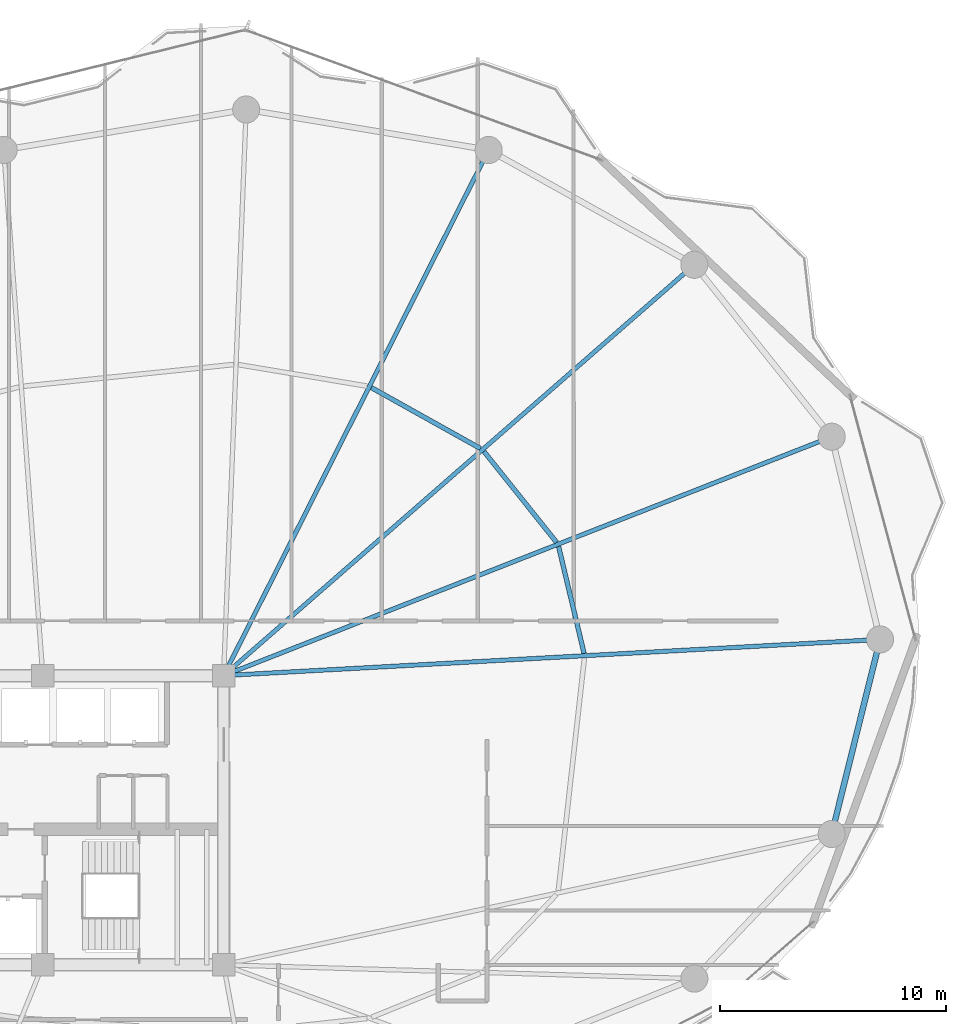
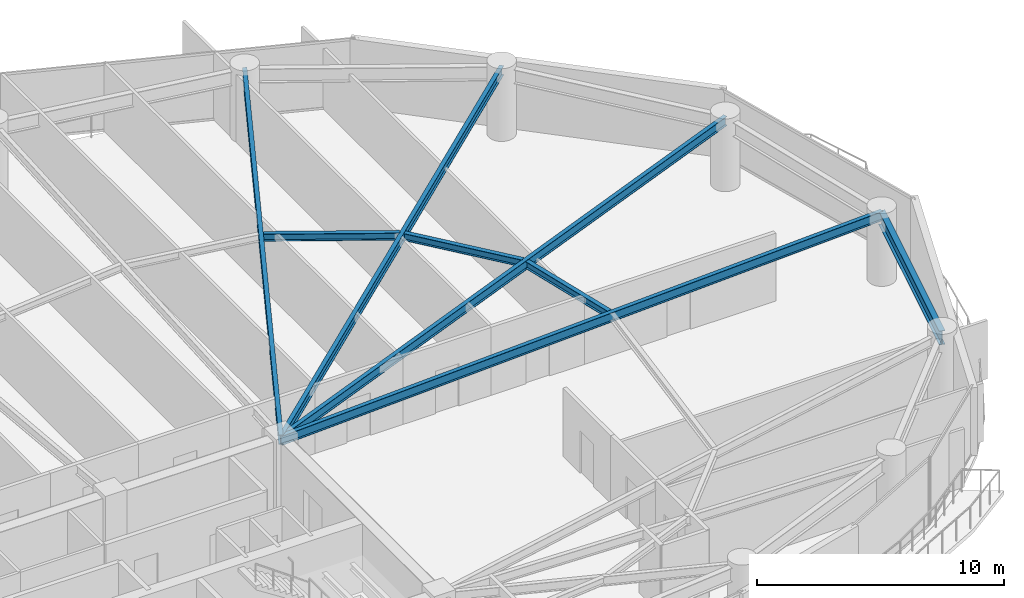
# One storey, part 14 of 28: 8 beams.
"""IFC4 building model written with IfcOpenShell, lengths in metres."""

from ifc_helpers import new_model, si_unit, direction, frame, origin, origin_2d, place, context, subcontext, project, spatial, i_section, extrude, material, material_profile, profile_set, type_object, element, save


model = new_model("IFC4")

# Units and contexts
model_context = context("Model", 3, precision=1e-05, world=origin(), true_north=direction((0.0, 1.0)))
body_context = subcontext(model_context, "Body", "Model", "MODEL_VIEW")
ifc_project = project(units=[si_unit("LENGTHUNIT", "METRE"), si_unit("AREAUNIT", "SQUARE_METRE"), si_unit("VOLUMEUNIT", "CUBIC_METRE"), si_unit("PLANEANGLEUNIT", "RADIAN"), si_unit("MASSUNIT", "GRAM", prefix="KILO")], contexts=[model_context])

# Site, building, storey
site_placement = place(None, origin())
site = spatial("IfcSite", under=ifc_project, at=site_placement, CompositionType="ELEMENT")
building_placement = place(site_placement, origin())
building = spatial("IfcBuilding", under=site, at=building_placement, Name="Kazevale Care Tower and Concert Hall", CompositionType="ELEMENT")
storey_placement = place(building_placement, frame((0.0, 0.0, 142.199951171875)))
storey = spatial("IfcBuildingStorey", under=building, at=storey_placement, Name="L37", CompositionType="ELEMENT", Elevation=142.199951171875)

# Beams
ifc_material = material(Name="Steel ASTM A572 Gr 50", Category="steel")
ifc_material_profile_1 = material_profile(ifc_material, i_section(OverallWidth=0.19091796875, OverallDepth=0.4599609375, WebThickness=0.010009765625, FlangeThickness=0.01611328125, at=origin_2d()), Name="W460x82")
ifc_profile_set_1 = profile_set([ifc_material_profile_1], Name="Steel ASTM A572 Gr 50")
beam_type_1 = type_object("IfcBeamType", Name="Radial Floor Beam W460x82", PredefinedType="BEAM", material=ifc_profile_set_1)
beam_1_placement = place(storey_placement, frame((44.0, 36.39990234375, 3.130126953125), z_axis=(0.998486500016, 0.054997357076, 0.0), x_axis=(-0.054997357076, 0.998486500016, 0.0)))
element("IfcBeam", 1, at=beam_1_placement, inside=storey, type_object=beam_type_1, Name="beam:L37:rad:01", PredefinedType="BEAM", context=body_context, shape_type="SweptSolid", body=[
    extrude(i_section(OverallWidth=0.19091796875, OverallDepth=0.4599609375, WebThickness=0.010009765625, FlangeThickness=0.01611328125, at=origin_2d()), origin(), (0.0, 0.0, 1.0), 29.093994140625),
])
beam_2_placement = place(storey_placement, frame((44.0, 36.39990234375, 3.130126953125), z_axis=(0.930771301513, 0.36560194786, 0.0), x_axis=(-0.36560194786, 0.930771301513, 0.0)))
element("IfcBeam", 2, at=beam_2_placement, inside=storey, type_object=beam_type_1, Name="beam:L37:rad:02", PredefinedType="BEAM", context=body_context, shape_type="SweptSolid", body=[
    extrude(i_section(OverallWidth=0.19091796875, OverallDepth=0.4599609375, WebThickness=0.010009765625, FlangeThickness=0.01611328125, at=origin_2d()), origin(), (0.0, 0.0, 1.0), 28.911376953125),
])
beam_3_placement = place(storey_placement, frame((44.0, 36.39990234375, 3.130126953125), z_axis=(0.753403181998, 0.657558853149, 0.0), x_axis=(-0.657558853149, 0.753403181998, 0.0)))
element("IfcBeam", 3, at=beam_3_placement, inside=storey, type_object=beam_type_1, Name="beam:L37:rad:03", PredefinedType="BEAM", context=body_context, shape_type="SweptSolid", body=[
    extrude(i_section(OverallWidth=0.19091796875, OverallDepth=0.4599609375, WebThickness=0.010009765625, FlangeThickness=0.01611328125, at=origin_2d()), origin(), (0.0, 0.0, 1.0), 27.64794921875),
])
beam_4_placement = place(storey_placement, frame((44.0, 36.39990234375, 3.130126953125), z_axis=(0.450281187568, 0.892886808124, 0.0), x_axis=(-0.892886808124, 0.450281187568, 0.0)))
element("IfcBeam", 4, at=beam_4_placement, inside=storey, type_object=beam_type_1, Name="beam:L37:rad:04", PredefinedType="BEAM", context=body_context, shape_type="SweptSolid", body=[
    extrude(i_section(OverallWidth=0.19091796875, OverallDepth=0.4599609375, WebThickness=0.010009765625, FlangeThickness=0.01611328125, at=origin_2d()), origin(), (0.0, 0.0, 1.0), 26.05029296875),
])
ifc_material_profile_2 = material_profile(ifc_material, i_section(OverallWidth=0.205078125, OverallDepth=0.35400390625, WebThickness=0.009521484375, FlangeThickness=0.016845703125, at=origin_2d()), Name="W360x79")
ifc_profile_set_2 = profile_set([ifc_material_profile_2], Name="Steel ASTM A572 Gr 50")
beam_type_2 = type_object("IfcBeamType", Name="Secondary Floor Joist W360x79", PredefinedType="JOIST", material=ifc_profile_set_2)
beam_5_placement = place(storey_placement, frame((59.952880859375, 37.382080078125, 3.18310546875), z_axis=(-0.232005223279, 0.972714540023, 0.0), x_axis=(-0.972714540023, -0.232005223279, 0.0)))
element("IfcBeam", 5, at=beam_5_placement, inside=storey, type_object=beam_type_2, Name="beam:L37:joist:01", PredefinedType="JOIST", context=body_context, shape_type="SweptSolid", body=[
    extrude(i_section(OverallWidth=0.205078125, OverallDepth=0.35400390625, WebThickness=0.009521484375, FlangeThickness=0.016845703125, at=origin_2d()), origin(), (0.0, 0.0, 1.0), 4.861572265625),
])
beam_6_placement = place(storey_placement, frame((58.735107421875, 42.2958984375, 3.18310546875), z_axis=(-0.624261115922, 0.781215757104, 0.0), x_axis=(-0.781215757104, -0.624261115922, 0.0)))
element("IfcBeam", 6, at=beam_6_placement, inside=storey, type_object=beam_type_2, Name="beam:L37:joist:02", PredefinedType="JOIST", context=body_context, shape_type="SweptSolid", body=[
    extrude(i_section(OverallWidth=0.205078125, OverallDepth=0.35400390625, WebThickness=0.009521484375, FlangeThickness=0.016845703125, at=origin_2d()), origin(), (0.0, 0.0, 1.0), 5.147216796875),
])
beam_7_placement = place(storey_placement, frame((55.364990234375, 46.449951171875, 3.18310546875), z_axis=(-0.873137755824, 0.487473547338, 0.0), x_axis=(-0.487473547338, -0.873137755824, 0.0)))
element("IfcBeam", 7, at=beam_7_placement, inside=storey, type_object=beam_type_2, Name="beam:L37:joist:03", PredefinedType="JOIST", context=body_context, shape_type="SweptSolid", body=[
    extrude(i_section(OverallWidth=0.205078125, OverallDepth=0.35400390625, WebThickness=0.009521484375, FlangeThickness=0.016845703125, at=origin_2d()), origin(), (0.0, 0.0, 1.0), 5.522705078125),
])
ifc_material_profile_3 = material_profile(ifc_material, i_section(OverallWidth=0.256103515625, OverallDepth=0.693115234375, WebThickness=0.014404296875, FlangeThickness=0.023681640625, at=origin_2d()), Name="W690x170")
ifc_profile_set_3 = profile_set([ifc_material_profile_3], Name="Steel ASTM A572 Gr 50")
beam_type_3 = type_object("IfcBeamType", Name="Waist Ring Beam W690x170", PredefinedType="BEAM", material=ifc_profile_set_3)
beam_8_placement = place(storey_placement, frame((70.909912109375, 29.389892578125, 3.013427734375), z_axis=(0.241221022882, 0.970470204653, 0.0), x_axis=(-0.970470204653, 0.241221022882, 0.0)))
element("IfcBeam", 8, at=beam_8_placement, inside=storey, type_object=beam_type_3, Name="beam:L37:ring:16", PredefinedType="BEAM", context=body_context, shape_type="SweptSolid", body=[
    extrude(i_section(OverallWidth=0.256103515625, OverallDepth=0.693115234375, WebThickness=0.014404296875, FlangeThickness=0.023681640625, at=origin_2d()), origin(), (0.0, 0.0, 1.0), 8.8720703125),
])

save(model, "model.ifc")
